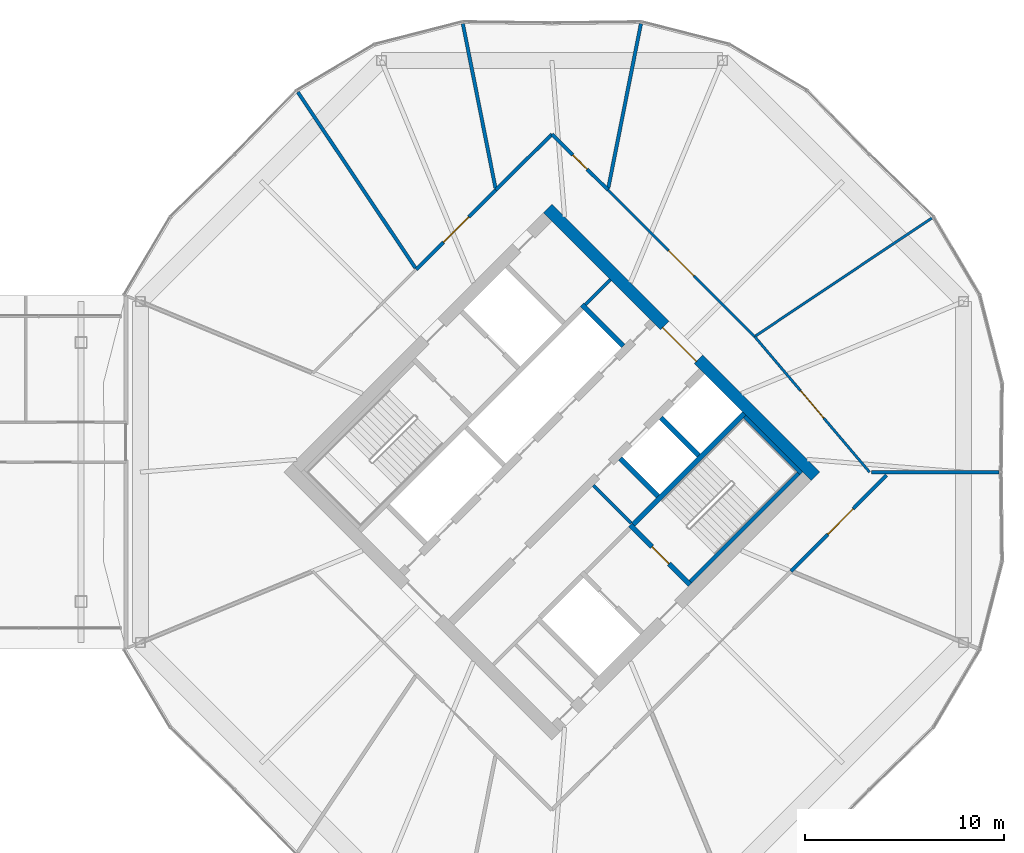
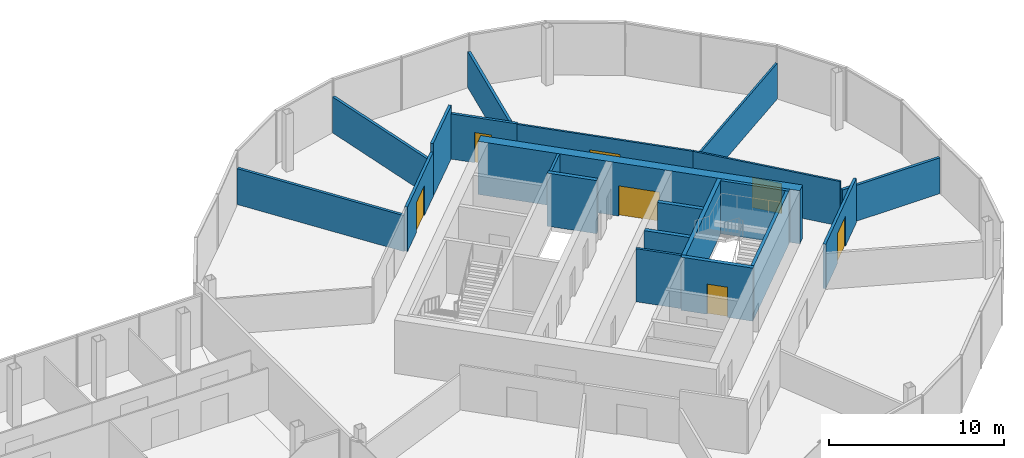
# One storey, part 23 of 25: 21 walls, 7 doors, 7 openings.
"""IFC4 building model written with IfcOpenShell, lengths in metres."""

from ifc_helpers import new_model, si_unit, direction, frame, frame_2d, origin, place, context, subcontext, project, spatial, rectangle, extrude, material, layer, layer_set, type_object, element, fill, save


model = new_model("IFC4")

# Units and contexts
model_context = context("Model", 3, precision=1e-05, world=origin(), true_north=direction((0.0, 1.0)))
body_context = subcontext(model_context, "Body", "Model", "MODEL_VIEW")
ifc_project = project(units=[si_unit("LENGTHUNIT", "METRE"), si_unit("AREAUNIT", "SQUARE_METRE"), si_unit("VOLUMEUNIT", "CUBIC_METRE"), si_unit("PLANEANGLEUNIT", "RADIAN"), si_unit("MASSUNIT", "GRAM", prefix="KILO")], contexts=[model_context])

# Site, building, storey
site_placement = place(None, origin())
site = spatial("IfcSite", under=ifc_project, at=site_placement, CompositionType="ELEMENT")
building_placement = place(site_placement, origin())
building = spatial("IfcBuilding", under=site, at=building_placement, Name="Ogive Gate Towers", CompositionType="ELEMENT")
storey_placement = place(building_placement, frame((0.0, 0.0, 152.800048828125)))
storey = spatial("IfcBuildingStorey", under=building, at=storey_placement, Name="L36", CompositionType="ELEMENT", Elevation=152.800048828125)

# Walls
ifc_material_1 = material(Name="Gypsum board acoustic partition")
ifc_layer_1 = layer(ifc_material_1, 0.175048828125)
ifc_layer_set_1 = layer_set([ifc_layer_1], Name="Acoustic partition 175")
wall_type_1 = type_object("IfcWallType", Name="Acoustic partition 175", PredefinedType="PARTITIONING", material=ifc_layer_set_1)
wall_1_placement = place(storey_placement, frame((58.428955078125, 0.0, 0.0), z_axis=(0.0, 0.0, 1.0), x_axis=(-1.0, 0.0, 0.0)))
element("IfcWall", 1, at=wall_1_placement, inside=storey, type_object=wall_type_1, Name="Partition T2-L36-001", PredefinedType="PARTITIONING", context=body_context, shape_type="SweptSolid", body=[
    extrude(rectangle(XDim=6.411376953125, YDim=0.175048828125, at=frame_2d((3.20556640625, 0.0))), origin(), (0.0, 0.0, 1.0), 2.5),
])
for number, where, z_axis, x_axis, name in (
    (2, (40.4658203125, 22.490478515625, 0.0), (0.0, 0.0, 1.0), (-0.194781953028, -0.980846568417, 0.0), "Partition T2-L36-003"),
    (3, (31.5341796875, 22.490478515625, 0.0), (0.0, 0.0, 1.0), (0.194781953028, -0.980846568417, 0.0), "Partition T2-L36-004"),
):
    element("IfcWall", number, at=place(storey_placement, frame(where, z_axis=z_axis, x_axis=x_axis)), inside=storey, type_object=wall_type_1, Name=name, PredefinedType="PARTITIONING", context=body_context, shape_type="SweptSolid", body=[
        extrude(rectangle(XDim=8.41162109375, YDim=0.175048828125, at=frame_2d((4.205810546875, 0.0))), origin(), (0.0, 0.0, 1.0), 2.5),
    ])
wall_2_placement = place(storey_placement, frame((23.25439453125, 19.060791015625, 0.0), z_axis=(0.0, 0.0, 1.0), x_axis=(0.555873003518, -0.831267227768, 0.0)))
element("IfcWall", 4, at=wall_2_placement, inside=storey, type_object=wall_type_1, Name="Partition T2-L36-005", PredefinedType="PARTITIONING", context=body_context, shape_type="SweptSolid", body=[
    extrude(rectangle(XDim=10.611572265625, YDim=0.175048828125, at=frame_2d((5.3056640625, 0.0))), origin(), (0.0, 0.0, 1.0), 2.5),
])

# Wall, opening, door
wall_3_placement = place(storey_placement, frame((47.992919921875, -4.967529296875, 0.0), z_axis=(0.0, 0.0, 1.0), x_axis=(0.705811519386, 0.70839967469, 0.0)))
wall_3 = element("IfcWall", 5, at=wall_3_placement, inside=storey, type_object=wall_type_1, Name="Partition T2-L36-017", PredefinedType="PARTITIONING", context=body_context, shape_type="SweptSolid", body=[
    extrude(rectangle(XDim=6.791748046875, YDim=0.175048828125, at=frame_2d((3.39599609375, 0.0))), origin(), (0.0, 0.0, 1.0), 3.099853515625),
])
opening_1_placement = place(wall_3_placement, frame((2.60595703125, 0.0, 0.0)))
opening_1 = element("IfcOpeningElement", 6, at=opening_1_placement, cuts=wall_3, Name="Opening T2-L36-D05", PredefinedType="OPENING", context=body_context, shape_type="SweptSolid", body=[
    extrude(rectangle(XDim=1.800048828125, YDim=2.10009765625, at=frame_2d((0.89990234375, 1.050048828125))), frame((0.0, 0.09765625, 0.0), z_axis=(0.0, -1.0, 0.0), x_axis=(1.0, 0.0, 0.0)), (0.0, 0.0, 1.0), 0.195068359375),
])
ifc_material_2 = material(Name="Timber door", Category="wood")
door_type_1 = type_object("IfcDoorType", Name="Door pair 1800", OperationType="NOTDEFINED", PredefinedType="DOOR", material=ifc_material_2)
door_1_placement = place(opening_1_placement, origin())
door_1 = element("IfcDoor", 7, at=door_1_placement, inside=storey, type_object=door_type_1, Name="Door T2-L36-D05", OperationType="DOUBLE_DOOR_DOUBLE_SWING", OverallHeight=2.10009765625, OverallWidth=1.800048828125, PredefinedType="DOOR", context=body_context, shape_type="SweptSolid", body=[
    extrude(rectangle(XDim=1.800048828125, YDim=2.10009765625, at=frame_2d((0.89990234375, 1.050048828125))), frame((0.0, 0.02490234375, 0.0), z_axis=(0.0, -1.0, 0.0), x_axis=(1.0, 0.0, 0.0)), (0.0, 0.0, 1.0), 0.050048828125),
])
fill(opening_1, door_1)

wall_4_placement = place(storey_placement, frame((38.810546875, 14.154296875, 0.0), z_axis=(0.0, 0.0, 1.0), x_axis=(-0.709937882201, 0.704264299404, 0.0)))
wall_4 = element("IfcWall", 8, at=wall_4_placement, inside=storey, type_object=wall_type_1, Name="Partition T2-L36-020", PredefinedType="PARTITIONING", context=body_context, shape_type="SweptSolid", body=[
    extrude(rectangle(XDim=3.958984375, YDim=0.175048828125, at=frame_2d((1.9794921875, 0.0))), origin(), (0.0, 0.0, 1.0), 3.14990234375),
])
opening_2_placement = place(wall_4_placement, frame((1.47900390625, 0.0, 0.0)))
opening_2 = element("IfcOpeningElement", 9, at=opening_2_placement, cuts=wall_4, Name="Opening T2-L36-D08", PredefinedType="OPENING", context=body_context, shape_type="SweptSolid", body=[
    extrude(rectangle(XDim=1.0, YDim=2.10009765625, at=frame_2d((0.5, 1.050048828125))), frame((0.0, 0.09765625, 0.0), z_axis=(0.0, -1.0, 0.0), x_axis=(1.0, 0.0, 0.0)), (0.0, 0.0, 1.0), 0.195068359375),
])
door_type_2 = type_object("IfcDoorType", Name="Door 1000", OperationType="NOTDEFINED", PredefinedType="DOOR", material=ifc_material_2)
door_2_placement = place(opening_2_placement, origin())
door_2 = element("IfcDoor", 10, at=door_2_placement, inside=storey, type_object=door_type_2, Name="Door T2-L36-D08", OperationType="SINGLE_SWING_LEFT", OverallHeight=2.10009765625, OverallWidth=1.0, PredefinedType="DOOR", context=body_context, shape_type="SweptSolid", body=[
    extrude(rectangle(XDim=1.0, YDim=2.10009765625, at=frame_2d((0.5, 1.050048828125))), frame((0.0, 0.02490234375, 0.0), z_axis=(0.0, -1.0, 0.0), x_axis=(1.0, 0.0, 0.0)), (0.0, 0.0, 1.0), 0.050048828125),
])
fill(opening_2, door_2)

# Wall
wall_5_placement = place(storey_placement, frame((36.0, 16.9423828125, 0.0), z_axis=(0.0, 0.0, 1.0), x_axis=(-0.709937882201, -0.704264299404, 0.0)))
element("IfcWall", 11, at=wall_5_placement, inside=storey, type_object=wall_type_1, Name="Partition T2-L36-021", PredefinedType="PARTITIONING", context=body_context, shape_type="SweptSolid", body=[
    extrude(rectangle(XDim=3.958984375, YDim=0.175048828125, at=frame_2d((1.9794921875, 0.0))), origin(), (0.0, 0.0, 1.0), 3.699951171875),
])

# Wall, opening, door
wall_6_placement = place(storey_placement, frame((33.189453125, 14.154296875, 0.0), z_axis=(0.0, 0.0, 1.0), x_axis=(-0.707150072997, -0.707063486726, 0.0)))
wall_6 = element("IfcWall", 12, at=wall_6_placement, inside=storey, type_object=wall_type_1, Name="Partition T2-L36-022", PredefinedType="PARTITIONING", context=body_context, shape_type="SweptSolid", body=[
    extrude(rectangle(XDim=5.63916015625, YDim=0.175048828125, at=frame_2d((2.819580078125, 0.0))), origin(), (0.0, 0.0, 1.0), 3.099853515625),
])
opening_3_placement = place(wall_6_placement, frame((1.919921875, 0.0, 0.0)))
opening_3 = element("IfcOpeningElement", 13, at=opening_3_placement, cuts=wall_6, Name="Opening T2-L36-D09", PredefinedType="OPENING", context=body_context, shape_type="SweptSolid", body=[
    extrude(rectangle(XDim=1.800048828125, YDim=2.10009765625, at=frame_2d((0.89990234375, 1.050048828125))), frame((0.0, 0.09765625, 0.0), z_axis=(0.0, -1.0, 0.0), x_axis=(1.0, 0.0, 0.0)), (0.0, 0.0, 1.0), 0.195068359375),
])
door_3_placement = place(opening_3_placement, origin())
door_3 = element("IfcDoor", 14, at=door_3_placement, inside=storey, type_object=door_type_1, Name="Door T2-L36-D09", OperationType="DOUBLE_DOOR_DOUBLE_SWING", OverallHeight=2.10009765625, OverallWidth=1.800048828125, PredefinedType="DOOR", context=body_context, shape_type="SweptSolid", body=[
    extrude(rectangle(XDim=1.800048828125, YDim=2.10009765625, at=frame_2d((0.89990234375, 1.050048828125))), frame((0.0, 0.02490234375, 0.0), z_axis=(0.0, -1.0, 0.0), x_axis=(1.0, 0.0, 0.0)), (0.0, 0.0, 1.0), 0.050048828125),
])
fill(opening_3, door_3)

ifc_material_3 = material(Name="Concrete C60/75", Category="concrete")
ifc_layer_2 = layer(ifc_material_3, 0.60009765625)
ifc_layer_set_2 = layer_set([ifc_layer_2], Name="Core wall 600 mm")
wall_type_2 = type_object("IfcWallType", Name="Core wall 600 mm", PredefinedType="SHEAR", material=ifc_layer_set_2)
wall_7_placement = place(storey_placement, frame((49.222900390625, -0.212158203125, 0.0), z_axis=(0.0, 0.0, 1.0), x_axis=(-0.707106781187, 0.707106781187, 0.0)))
wall_7 = element("IfcWall", 15, at=wall_7_placement, inside=storey, type_object=wall_type_2, Name="T2 L36 Core wall 600 mm", PredefinedType="SHEAR", context=body_context, shape_type="SweptSolid", body=[
    extrude(rectangle(XDim=19.0, YDim=0.60009765625, at=frame_2d((9.5, 0.0))), origin(), (0.0, 0.0, 1.0), 3.699951171875),
])
opening_4_placement = place(wall_7_placement, frame((8.300048828125, 0.0, 0.0)))
opening_4 = element("IfcOpeningElement", 16, at=opening_4_placement, cuts=wall_7, Name="Opening KD-T2-L36-02", PredefinedType="OPENING", context=body_context, shape_type="SweptSolid", body=[
    extrude(rectangle(XDim=2.39990234375, YDim=2.10009765625, at=frame_2d((1.199951171875, 1.050048828125))), frame((0.0, 0.31005859375, 0.0), z_axis=(0.0, -1.0, 0.0), x_axis=(1.0, 0.0, 0.0)), (0.0, 0.0, 1.0), 0.6201171875),
])
ifc_material_4 = material(Name="Steel fire door", Category="steel")
door_type_3 = type_object("IfcDoorType", Name="Core double door FD60S 2400 x 2100", OperationType="DOUBLE_DOOR_SINGLE_SWING", PredefinedType="DOOR", material=ifc_material_4)
door_4_placement = place(opening_4_placement, origin())
door_4 = element("IfcDoor", 17, at=door_4_placement, inside=storey, type_object=door_type_3, Name="T2 L36 Core door double", OperationType="DOUBLE_DOOR_SINGLE_SWING", OverallHeight=2.10009765625, OverallWidth=2.39990234375, PredefinedType="DOOR", context=body_context, shape_type="SweptSolid", body=[
    extrude(rectangle(XDim=2.39990234375, YDim=2.10009765625, at=frame_2d((1.199951171875, 1.050048828125))), frame((0.0, 0.1748046875, 0.0), z_axis=(0.0, -1.0, 0.0), x_axis=(1.0, 0.0, 0.0)), (0.0, 0.0, 1.0), 0.050048828125),
])
fill(opening_4, door_4)

# Wall
ifc_material_5 = material(Name="Gypsum board partition")
ifc_layer_3 = layer(ifc_material_5, 0.125)
ifc_layer_set_3 = layer_set([ifc_layer_3], Name="Partition 125")
wall_type_3 = type_object("IfcWallType", Name="Partition 125", PredefinedType="PARTITIONING", material=ifc_layer_set_3)
wall_8_placement = place(storey_placement, frame((55.060791015625, 12.74560546875, 0.0), z_axis=(0.0, 0.0, 1.0), x_axis=(-0.831265530483, -0.555875541673, 0.0)))
element("IfcWall", 18, at=wall_8_placement, inside=storey, type_object=wall_type_3, Name="Partition T2-L36-002", PredefinedType="PARTITIONING", context=body_context, shape_type="SweptSolid", body=[
    extrude(rectangle(XDim=10.636474609375, YDim=0.125, at=frame_2d((5.318359375, 0.0))), origin(), (0.0, 0.0, 1.0), 2.5),
])

# Wall, opening, door
wall_9_placement = place(storey_placement, frame((51.929931640625, 0.0, 0.0), z_axis=(0.0, 0.0, 1.0), x_axis=(-0.646628428802, 0.76280513571, 0.0)))
wall_9 = element("IfcWall", 19, at=wall_9_placement, inside=storey, type_object=wall_type_3, Name="Partition T2-L36-018", PredefinedType="PARTITIONING", context=body_context, shape_type="SweptSolid", body=[
    extrude(rectangle(XDim=8.912353515625, YDim=0.125, at=frame_2d((4.4560546875, 0.0))), origin(), (0.0, 0.0, 1.0), 3.099853515625),
])
opening_5_placement = place(wall_9_placement, frame((3.555908203125, 0.0, 0.0)))
opening_5 = element("IfcOpeningElement", 20, at=opening_5_placement, cuts=wall_9, Name="Opening T2-L36-D06", PredefinedType="OPENING", context=body_context, shape_type="SweptSolid", body=[
    extrude(rectangle(XDim=1.800048828125, YDim=2.10009765625, at=frame_2d((0.89990234375, 1.050048828125))), frame((0.0, 0.072509765625, 0.0), z_axis=(0.0, -1.0, 0.0), x_axis=(1.0, 0.0, 0.0)), (0.0, 0.0, 1.0), 0.14501953125),
])
door_5_placement = place(opening_5_placement, origin())
door_5 = element("IfcDoor", 21, at=door_5_placement, inside=storey, type_object=door_type_1, Name="Door T2-L36-D06", OperationType="DOUBLE_DOOR_DOUBLE_SWING", OverallHeight=2.10009765625, OverallWidth=1.800048828125, PredefinedType="DOOR", context=body_context, shape_type="SweptSolid", body=[
    extrude(rectangle(XDim=1.800048828125, YDim=2.10009765625, at=frame_2d((0.89990234375, 1.050048828125))), frame((0.0, 0.02490234375, 0.0), z_axis=(0.0, -1.0, 0.0), x_axis=(1.0, 0.0, 0.0)), (0.0, 0.0, 1.0), 0.050048828125),
])
fill(opening_5, door_5)

wall_10_placement = place(storey_placement, frame((46.1669921875, 6.79833984375, 0.0), z_axis=(0.0, 0.0, 1.0), x_axis=(-0.707130248547, 0.707083313047, 0.0)))
wall_10 = element("IfcWall", 22, at=wall_10_placement, inside=storey, type_object=wall_type_3, Name="Partition T2-L36-019", PredefinedType="PARTITIONING", context=body_context, shape_type="SweptSolid", body=[
    extrude(rectangle(XDim=10.4033203125, YDim=0.125, at=frame_2d((5.20166015625, 0.0))), origin(), (0.0, 0.0, 1.0), 3.099853515625),
])
opening_6_placement = place(wall_10_placement, frame((4.302001953125, 0.0, 0.0)))
opening_6 = element("IfcOpeningElement", 23, at=opening_6_placement, cuts=wall_10, Name="Opening T2-L36-D07", PredefinedType="OPENING", context=body_context, shape_type="SweptSolid", body=[
    extrude(rectangle(XDim=1.800048828125, YDim=2.10009765625, at=frame_2d((0.89990234375, 1.050048828125))), frame((0.0, 0.072509765625, 0.0), z_axis=(0.0, -1.0, 0.0), x_axis=(1.0, 0.0, 0.0)), (0.0, 0.0, 1.0), 0.14501953125),
])
door_6_placement = place(opening_6_placement, origin())
door_6 = element("IfcDoor", 24, at=door_6_placement, inside=storey, type_object=door_type_1, Name="Door T2-L36-D07", OperationType="DOUBLE_DOOR_DOUBLE_SWING", OverallHeight=2.10009765625, OverallWidth=1.800048828125, PredefinedType="DOOR", context=body_context, shape_type="SweptSolid", body=[
    extrude(rectangle(XDim=1.800048828125, YDim=2.10009765625, at=frame_2d((0.89990234375, 1.050048828125))), frame((0.0, 0.02490234375, 0.0), z_axis=(0.0, -1.0, 0.0), x_axis=(1.0, 0.0, 0.0)), (0.0, 0.0, 1.0), 0.050048828125),
])
fill(opening_6, door_6)

# Walls
ifc_layer_4 = layer(ifc_material_5, 0.14990234375)
ifc_layer_set_4 = layer_set([ifc_layer_4], Name="Room partition 150 mm")
wall_type_4 = type_object("IfcWallType", Name="Room partition 150 mm", PredefinedType="PARTITIONING", material=ifc_layer_set_4)
wall_11_placement = place(storey_placement, frame((37.679443359375, 8.39697265625, 0.0), z_axis=(0.0, 0.0, 1.0), x_axis=(0.707106781187, 0.707106781187, 0.0)))
element("IfcWall", 25, at=wall_11_placement, inside=storey, type_object=wall_type_4, Name="T2 L36 Room partition 150 mm", PredefinedType="PARTITIONING", context=body_context, shape_type="SweptSolid", body=[
    extrude(rectangle(XDim=1.77490234375, YDim=0.14990234375, at=frame_2d((0.887451171875, 0.0))), origin(), (0.0, 0.0, 1.0), 3.699951171875),
])
wall_12_placement = place(storey_placement, frame((39.9775390625, -2.563232421875, 0.0), z_axis=(0.0, 0.0, 1.0), x_axis=(-0.707152414227, 0.707061145201, 0.0)))
element("IfcWall", 26, at=wall_12_placement, inside=storey, type_object=wall_type_4, Name="T2 L36 Room partition 150 mm", PredefinedType="PARTITIONING", context=body_context, shape_type="SweptSolid", body=[
    extrude(rectangle(XDim=2.675048828125, YDim=0.14990234375, at=frame_2d((1.33740234375, 0.0))), origin(), (0.0, 0.0, 1.0), 3.699951171875),
])
ifc_layer_5 = layer(ifc_material_3, 0.25)
ifc_layer_set_5 = layer_set([ifc_layer_5], Name="Shaft wall 250 mm")
wall_type_5 = type_object("IfcWallType", Name="Shaft wall 250 mm", PredefinedType="SHEAR", material=ifc_layer_set_5)
wall_13_placement = place(storey_placement, frame((40.08349609375, -2.634033203125, 0.0), z_axis=(0.0, 0.0, 1.0), x_axis=(0.707106781187, 0.707106781187, 0.0)))
element("IfcWall", 27, at=wall_13_placement, inside=storey, type_object=wall_type_5, Name="T2 L36 Shaft wall 250 mm", PredefinedType="SHEAR", context=body_context, shape_type="SweptSolid", body=[
    extrude(rectangle(XDim=7.875244140625, YDim=0.25, at=frame_2d((3.9375, 0.0))), origin(), (0.0, 0.0, 1.0), 3.699951171875),
])

# Wall, opening, door
wall_14_placement = place(storey_placement, frame((42.9296875, -5.656982421875, 0.0), z_axis=(0.0, 0.0, 1.0), x_axis=(-0.707106781187, 0.707106781187, 0.0)))
wall_14 = element("IfcWall", 28, at=wall_14_placement, inside=storey, type_object=wall_type_5, Name="T2 L36 Shaft wall 250 mm", PredefinedType="SHEAR", context=body_context, shape_type="SweptSolid", body=[
    extrude(rectangle(XDim=4.250244140625, YDim=0.25, at=frame_2d((2.125, 0.0))), origin(), (0.0, 0.0, 1.0), 3.699951171875),
])
opening_7_placement = place(wall_14_placement, frame((1.5, 0.0, 0.0)))
opening_7 = element("IfcOpeningElement", 29, at=opening_7_placement, cuts=wall_14, Name="Opening KD-T2-L36-17", PredefinedType="OPENING", context=body_context, shape_type="SweptSolid", body=[
    extrude(rectangle(XDim=1.199951171875, YDim=2.10009765625, at=frame_2d((0.60009765625, 1.050048828125))), frame((0.0, 0.135009765625, 0.0), z_axis=(0.0, -1.0, 0.0), x_axis=(1.0, 0.0, 0.0)), (0.0, 0.0, 1.0), 0.27001953125),
])
door_type_4 = type_object("IfcDoorType", Name="Core door FD60S 1200 x 2100", OperationType="NOTDEFINED", PredefinedType="DOOR", material=ifc_material_4)
door_7_placement = place(opening_7_placement, origin())
door_7 = element("IfcDoor", 30, at=door_7_placement, inside=storey, type_object=door_type_4, Name="T2 L36 Stair door", OperationType="SINGLE_SWING_RIGHT", OverallHeight=2.10009765625, OverallWidth=1.199951171875, PredefinedType="DOOR", context=body_context, shape_type="SweptSolid", body=[
    extrude(rectangle(XDim=1.199951171875, YDim=2.10009765625, at=frame_2d((0.60009765625, 1.050048828125))), frame((0.0, 0.02490234375, 0.0), z_axis=(0.0, -1.0, 0.0), x_axis=(1.0, 0.0, 0.0)), (0.0, 0.0, 1.0), 0.050048828125),
])
fill(opening_7, door_7)

# Walls
for number, where, z_axis, x_axis, name in (
    (31, (41.321044921875, -1.2197265625, 0.0), (0.0, 0.0, 1.0), (-0.707106781187, 0.707106781187, 0.0), "T2 L36 Shaft wall 250 mm"),
    (32, (43.37158203125, 0.830810546875, 0.0), (0.0, 0.0, 1.0), (-0.707106781187, 0.707106781187, 0.0), "T2 L36 Shaft wall 250 mm"),
):
    element("IfcWall", number, at=place(storey_placement, frame(where, z_axis=z_axis, x_axis=x_axis)), inside=storey, type_object=wall_type_5, Name=name, PredefinedType="SHEAR", context=body_context, shape_type="SweptSolid", body=[
        extrude(rectangle(XDim=2.675048828125, YDim=0.25, at=frame_2d((1.33740234375, 0.0))), origin(), (0.0, 0.0, 1.0), 3.699951171875),
    ])
wall_15_placement = place(storey_placement, frame((39.57080078125, 6.32861328125, 0.0), z_axis=(0.0, 0.0, 1.0), x_axis=(-0.707065045505, 0.707148514405, 0.0)))
element("IfcWall", 33, at=wall_15_placement, inside=storey, type_object=wall_type_5, Name="T2 L36 Shaft wall 250 mm", PredefinedType="SHEAR", context=body_context, shape_type="SweptSolid", body=[
    extrude(rectangle(XDim=2.925048828125, YDim=0.25, at=frame_2d((1.46240234375, 0.0))), origin(), (0.0, 0.0, 1.0), 3.699951171875),
])
ifc_layer_6 = layer(ifc_material_3, 0.199951171875)
ifc_layer_set_6 = layer_set([ifc_layer_6], Name="Stair wall 200 mm")
wall_type_6 = type_object("IfcWallType", Name="Stair wall 200 mm", PredefinedType="SHEAR", material=ifc_layer_set_6)
wall_16_placement = place(storey_placement, frame((42.947265625, -5.497802734375, 0.0), z_axis=(0.0, 0.0, 1.0), x_axis=(0.707122685701, 0.707090876314, 0.0)))
element("IfcWall", 34, at=wall_16_placement, inside=storey, type_object=wall_type_6, Name="T2 L36 Stair wall 200 mm", PredefinedType="SHEAR", context=body_context, shape_type="SweptSolid", body=[
    extrude(rectangle(XDim=7.675048828125, YDim=0.199951171875, at=frame_2d((3.83740234375, 0.0))), origin(), (0.0, 0.0, 1.0), 3.699951171875),
])
wall_17_placement = place(storey_placement, frame((48.515869140625, -0.07080078125, 0.0), z_axis=(0.0, 0.0, 1.0), x_axis=(-0.707106781187, 0.707106781187, 0.0)))
element("IfcWall", 35, at=wall_17_placement, inside=storey, type_object=wall_type_6, Name="T2 L36 Stair wall 200 mm", PredefinedType="SHEAR", context=body_context, shape_type="SweptSolid", body=[
    extrude(rectangle(XDim=4.025146484375, YDim=0.199951171875, at=frame_2d((2.0126953125, 0.0))), origin(), (0.0, 0.0, 1.0), 3.699951171875),
])

save(model, "model.ifc")
